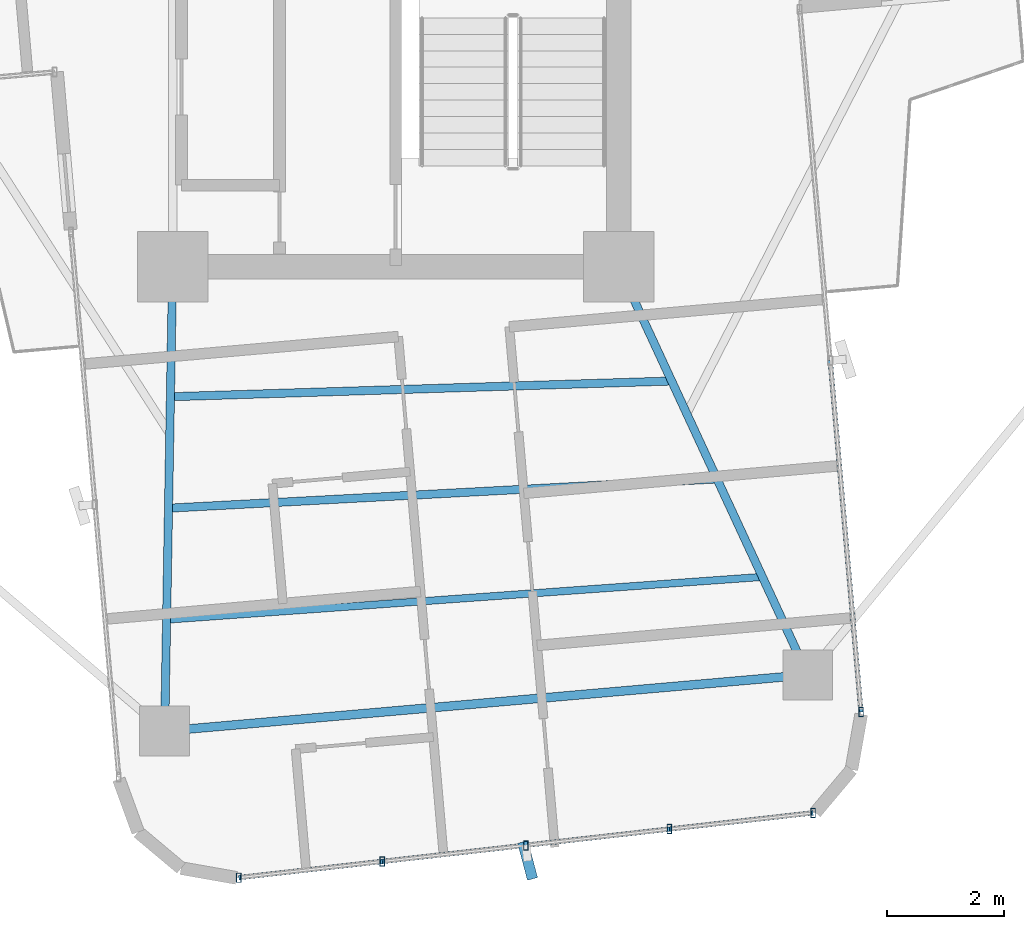
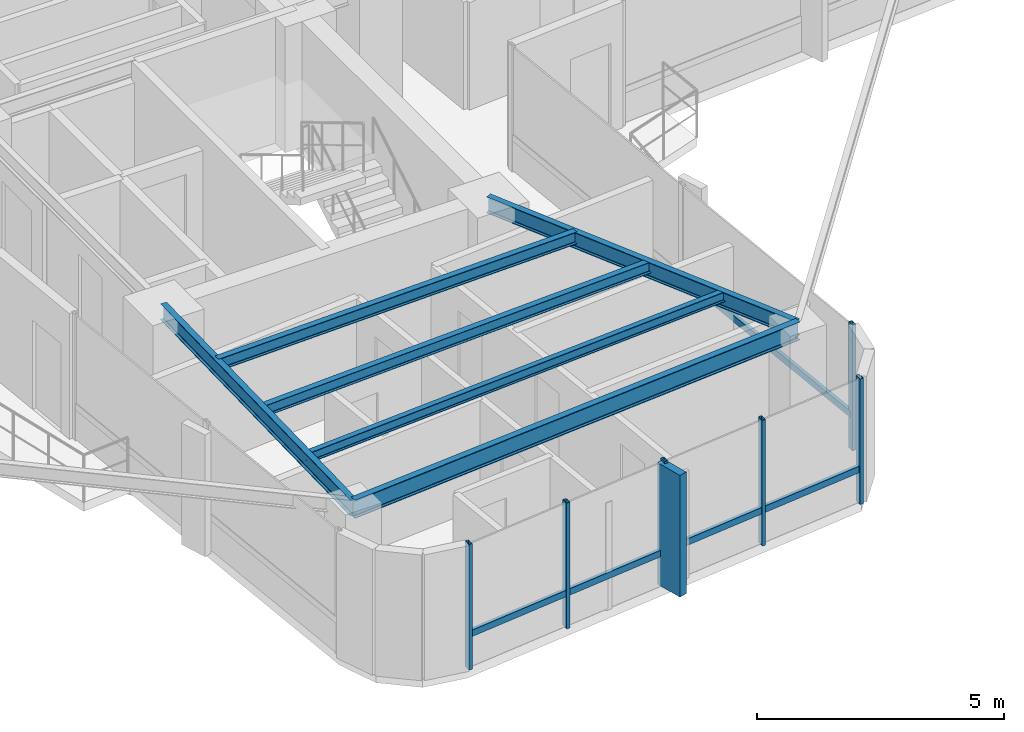
# One storey, part 6 of 24: 12 members, 6 beams, 2 elements without a shape of their own.
"""IFC4 building model written with IfcOpenShell, lengths in metres."""

from ifc_helpers import new_model, si_unit, direction, frame, origin, origin_2d, place, context, subcontext, project, spatial, rectangle, hollow_rectangle, i_section, extrude, source, transform, mapped, material, material_profile, profile_set, type_object, element, aggregate, save


model = new_model("IFC4")

# Units and contexts
model_context = context("Model", 3, precision=1e-05, world=origin(), true_north=direction((0.0, 1.0)))
body_context = subcontext(model_context, "Body", "Model", "MODEL_VIEW")
ifc_project = project(units=[si_unit("LENGTHUNIT", "METRE"), si_unit("AREAUNIT", "SQUARE_METRE"), si_unit("VOLUMEUNIT", "CUBIC_METRE"), si_unit("PLANEANGLEUNIT", "RADIAN"), si_unit("MASSUNIT", "GRAM", prefix="KILO")], contexts=[model_context])

# Site, building, storey
site_placement = place(None, origin())
site = spatial("IfcSite", under=ifc_project, at=site_placement, CompositionType="ELEMENT")
building_placement = place(site_placement, origin())
building = spatial("IfcBuilding", under=site, at=building_placement, Name="Sahyath Konkavel Grand Hotel", CompositionType="ELEMENT")
storey_placement = place(building_placement, frame((0.0, 0.0, 157.300048828125)))
storey = spatial("IfcBuildingStorey", under=building, at=storey_placement, Name="L43", CompositionType="ELEMENT", Elevation=157.300048828125)

# Beams
ifc_material_1 = material(Name="Steel E350", Category="steel")
ifc_material_profile_1 = material_profile(ifc_material_1, i_section(OverallWidth=0.139892578125, OverallDepth=0.39990234375, WebThickness=0.0087890625, FlangeThickness=0.01611328125, FilletRadius=0.013916015625, at=origin_2d()), Name="ISMB 400")
ifc_profile_set_1 = profile_set([ifc_material_profile_1], Name="Steel E350")
beam_type_1 = type_object("IfcBeamType", Name="BM-ISMB400", PredefinedType="BEAM", material=ifc_profile_set_1)
shared_shape_1 = source(origin(), body_context, "Body", "SweptSolid", [
    extrude(i_section(OverallWidth=0.139892578125, OverallDepth=0.39990234375, WebThickness=0.0087890625, FlangeThickness=0.01611328125, FilletRadius=0.013916015625, at=origin_2d()), origin(), (0.0, 0.0, 1.0), 7.913330078125),
])
beam_1_placement = place(storey_placement, frame((-3.800048828125, -10.199951171875, 2.909912109375), z_axis=(-0.017215419232, -0.999851803689, 0.0), x_axis=(0.999851803689, -0.017215419232, 0.0)))
element("IfcBeam", 1, at=beam_1_placement, inside=storey, type_object=beam_type_1, Name="L43 Cruciform Radial Girder SA", PredefinedType="BEAM", context=body_context, shape_type="MappedRepresentation", body=[
    mapped(shared_shape_1, transform((0.0, 0.0, 0.0), scale=1.0)),
])
shared_shape_2 = source(origin(), body_context, "Body", "SweptSolid", [
    extrude(i_section(OverallWidth=0.139892578125, OverallDepth=0.39990234375, WebThickness=0.0087890625, FlangeThickness=0.01611328125, FilletRadius=0.013916015625, at=origin_2d()), origin(), (0.0, 0.0, 1.0), 7.66357421875),
])
beam_2_placement = place(storey_placement, frame((3.800048828125, -10.199951171875, 2.909912109375), z_axis=(0.420395127561, -0.907341135804, 0.0), x_axis=(0.907341135804, 0.420395127561, 0.0)))
element("IfcBeam", 2, at=beam_2_placement, inside=storey, type_object=beam_type_1, Name="L43 Cruciform Radial Girder SB", PredefinedType="BEAM", context=body_context, shape_type="MappedRepresentation", body=[
    mapped(shared_shape_2, transform((0.0, 0.0, 0.0), scale=1.0)),
])
ifc_material_profile_2 = material_profile(ifc_material_1, i_section(OverallWidth=0.14990234375, OverallDepth=0.449951171875, WebThickness=0.009521484375, FlangeThickness=0.017333984375, FilletRadius=0.014892578125, at=origin_2d()), Name="ISMB 450")
ifc_profile_set_2 = profile_set([ifc_material_profile_2], Name="Steel E350")
beam_type_2 = type_object("IfcBeamType", Name="BM-ISMB450", PredefinedType="BEAM", material=ifc_profile_set_2)
shared_shape_3 = source(origin(), body_context, "Body", "SweptSolid", [
    extrude(i_section(OverallWidth=0.14990234375, OverallDepth=0.449951171875, WebThickness=0.009521484375, FlangeThickness=0.017333984375, FilletRadius=0.014892578125, at=origin_2d()), origin(), (0.0, 0.0, 1.0), 10.999755859375),
])
beam_3_placement = place(storey_placement, frame((-3.936279296875, -18.112060546875, 2.885009765625), z_axis=(0.99619439202, 0.087159241098, 0.0), x_axis=(-0.087159241098, 0.99619439202, 0.0)))
element("IfcBeam", 3, at=beam_3_placement, inside=storey, type_object=beam_type_2, Name="L43 Wing Tip Edge Beam S", PredefinedType="BEAM", context=body_context, shape_type="MappedRepresentation", body=[
    mapped(shared_shape_3, transform((0.0, 0.0, 0.0), scale=1.0)),
])
ifc_material_profile_3 = material_profile(ifc_material_1, i_section(OverallWidth=0.139892578125, OverallDepth=0.300048828125, WebThickness=0.0078125, FlangeThickness=0.01318359375, FilletRadius=0.013916015625, at=origin_2d()), Name="ISMB 300")
ifc_profile_set_3 = profile_set([ifc_material_profile_3], Name="Steel E350")
beam_type_3 = type_object("IfcBeamType", Name="BM-ISMB300", PredefinedType="BEAM", material=ifc_profile_set_3)
shared_shape_4 = source(origin(), body_context, "Body", "SweptSolid", [
    extrude(i_section(OverallWidth=0.139892578125, OverallDepth=0.300048828125, WebThickness=0.0078125, FlangeThickness=0.01318359375, FilletRadius=0.013916015625, at=origin_2d()), origin(), (0.0, 0.0, 1.0), 8.54443359375),
])
beam_4_placement = place(storey_placement, frame((-3.838134765625, -12.415283203125, 2.9599609375), z_axis=(0.999506849365, 0.031401561632, 0.0), x_axis=(-0.031401561632, 0.999506849365, 0.0)))
element("IfcBeam", 4, at=beam_4_placement, inside=storey, type_object=beam_type_3, Name="L43 Secondary Floor Beam S-1", PredefinedType="BEAM", context=body_context, shape_type="MappedRepresentation", body=[
    mapped(shared_shape_4, transform((0.0, 0.0, 0.0), scale=1.0)),
])
ifc_material_profile_4 = material_profile(ifc_material_1, i_section(OverallWidth=0.139892578125, OverallDepth=0.27490234375, WebThickness=0.00634765625, FlangeThickness=0.0087890625, FilletRadius=0.012939453125, at=origin_2d()), Name="ISLB 275")
ifc_profile_set_4 = profile_set([ifc_material_profile_4], Name="Steel E350")
beam_type_4 = type_object("IfcBeamType", Name="BM-ISLB275", PredefinedType="BEAM", material=ifc_profile_set_4)
shared_shape_5 = source(origin(), body_context, "Body", "SweptSolid", [
    extrude(i_section(OverallWidth=0.139892578125, OverallDepth=0.27490234375, WebThickness=0.00634765625, FlangeThickness=0.0087890625, FilletRadius=0.012939453125, at=origin_2d()), origin(), (0.0, 0.0, 1.0), 9.359375),
])
beam_5_placement = place(storey_placement, frame((-3.870849609375, -14.314208984375, 2.972412109375), z_axis=(0.998580397723, 0.053265272769, 0.0), x_axis=(-0.053265272769, 0.998580397723, 0.0)))
element("IfcBeam", 5, at=beam_5_placement, inside=storey, type_object=beam_type_4, Name="L43 Secondary Floor Beam S-2", PredefinedType="BEAM", context=body_context, shape_type="MappedRepresentation", body=[
    mapped(shared_shape_5, transform((0.0, 0.0, 0.0), scale=1.0)),
])
ifc_material_profile_5 = material_profile(ifc_material_1, i_section(OverallWidth=0.125, OverallDepth=0.25, WebThickness=0.0068359375, FlangeThickness=0.012451171875, FilletRadius=0.012939453125, at=origin_2d()), Name="ISMB 250")
ifc_profile_set_5 = profile_set([ifc_material_profile_5], Name="Steel E350")
beam_type_5 = type_object("IfcBeamType", Name="BM-ISMB250", PredefinedType="BEAM", material=ifc_profile_set_5)
shared_shape_6 = source(origin(), body_context, "Body", "SweptSolid", [
    extrude(i_section(OverallWidth=0.125, OverallDepth=0.25, WebThickness=0.0068359375, FlangeThickness=0.012451171875, FilletRadius=0.012939453125, at=origin_2d()), origin(), (0.0, 0.0, 1.0), 10.178466796875),
])
beam_6_placement = place(storey_placement, frame((-3.90380859375, -16.213134765625, 2.98486328125), z_axis=(0.997435268886, 0.071574327683, 0.0), x_axis=(-0.071574327683, 0.997435268886, 0.0)))
element("IfcBeam", 6, at=beam_6_placement, inside=storey, type_object=beam_type_5, Name="L43 Secondary Floor Beam S-3", PredefinedType="BEAM", context=body_context, shape_type="MappedRepresentation", body=[
    mapped(shared_shape_6, transform((0.0, 0.0, 0.0), scale=1.0)),
])

# Curtain wall, members
ifc_material_2 = material(Name="Anodised Bronze Aluminium & Low-E Glazing", Category="aluminium")
curtain_wall_type = type_object("IfcCurtainWallType", Name="CW-ZONE3", PredefinedType="NOTDEFINED", material=ifc_material_2)
curtain_wall_1_placement = place(storey_placement, origin())
curtain_wall_1 = element("IfcCurtainWall", 7, at=curtain_wall_1_placement, inside=storey, type_object=curtain_wall_type, Name="L43 Unitised Curtain Wall F28", PredefinedType="NOTDEFINED")
ifc_material_3 = material(Name="Anodised Bronze Aluminium", Category="aluminium")
ifc_material_profile_6 = material_profile(ifc_material_3, hollow_rectangle(XDim=0.080078125, YDim=0.159912109375, WallThickness=0.006103515625, at=origin_2d()), Name="RHS 160x80x6")
ifc_profile_set_6 = profile_set([ifc_material_profile_6], Name="Anodised Bronze Aluminium")
member_type_1 = type_object("IfcMemberType", Name="CW-MUL-160", PredefinedType="MULLION", material=ifc_profile_set_6)
shared_shape_7 = source(origin(), body_context, "Body", "SweptSolid", [
    extrude(hollow_rectangle(XDim=0.080078125, YDim=0.159912109375, WallThickness=0.006103515625, at=origin_2d()), origin(), (0.0, 0.0, 1.0), 3.10986328125),
])
member_1_placement = place(storey_placement, frame((-2.673828125, -20.610595703125, 0.0), z_axis=(0.0, 0.0, 1.0), x_axis=(1.0, 0.0, 0.0)))
member_1 = element("IfcMember", 8, at=member_1_placement, type_object=member_type_1, Name="L43 Curtain Wall Mullion F28-0", PredefinedType="MULLION", context=body_context, shape_type="MappedRepresentation", body=[
    mapped(shared_shape_7, transform((0.0, 0.0, 0.0), scale=1.0)),
])
member_2_placement = place(storey_placement, frame((-0.227294921875, -20.334716796875, 0.0), z_axis=(0.0, 0.0, 1.0), x_axis=(1.0, 0.0, 0.0)))
member_2 = element("IfcMember", 9, at=member_2_placement, type_object=member_type_1, Name="L43 Curtain Wall Mullion F28-1", PredefinedType="MULLION", context=body_context, shape_type="MappedRepresentation", body=[
    mapped(shared_shape_7, transform((0.0, 0.0, 0.0), scale=1.0)),
])
member_3_placement = place(storey_placement, frame((2.21923828125, -20.05908203125, 0.0), z_axis=(0.0, 0.0, 1.0), x_axis=(1.0, 0.0, 0.0)))
member_3 = element("IfcMember", 10, at=member_3_placement, type_object=member_type_1, Name="L43 Curtain Wall Mullion F28-2", PredefinedType="MULLION", context=body_context, shape_type="MappedRepresentation", body=[
    mapped(shared_shape_7, transform((0.0, 0.0, 0.0), scale=1.0)),
])
member_4_placement = place(storey_placement, frame((4.665771484375, -19.783203125, 0.0), z_axis=(0.0, 0.0, 1.0), x_axis=(1.0, 0.0, 0.0)))
member_4 = element("IfcMember", 11, at=member_4_placement, type_object=member_type_1, Name="L43 Curtain Wall Mullion F28-3", PredefinedType="MULLION", context=body_context, shape_type="MappedRepresentation", body=[
    mapped(shared_shape_7, transform((0.0, 0.0, 0.0), scale=1.0)),
])
member_5_placement = place(storey_placement, frame((7.1123046875, -19.507568359375, 0.0), z_axis=(0.0, 0.0, 1.0), x_axis=(1.0, 0.0, 0.0)))
member_5 = element("IfcMember", 12, at=member_5_placement, type_object=member_type_1, Name="L43 Curtain Wall Mullion F28-4", PredefinedType="MULLION", context=body_context, shape_type="MappedRepresentation", body=[
    mapped(shared_shape_7, transform((0.0, 0.0, 0.0), scale=1.0)),
])

# Curtain wall, member
curtain_wall_2_placement = place(storey_placement, origin())
curtain_wall_2 = element("IfcCurtainWall", 13, at=curtain_wall_2_placement, inside=storey, type_object=curtain_wall_type, Name="L43 Unitised Curtain Wall F31", PredefinedType="NOTDEFINED")
member_6_placement = place(storey_placement, frame((7.930419921875, -17.78662109375, 0.0), z_axis=(0.0, 0.0, 1.0), x_axis=(1.0, 0.0, 0.0)))
member_6 = element("IfcMember", 14, at=member_6_placement, type_object=member_type_1, Name="L43 Curtain Wall Mullion F31-0", PredefinedType="MULLION", context=body_context, shape_type="MappedRepresentation", body=[
    mapped(shared_shape_7, transform((0.0, 0.0, 0.0), scale=1.0)),
])

# Member
ifc_material_4 = material(Name="Warm Buff Sandstone Cladding on Concrete C50/60", Category="masonry")
ifc_material_profile_7 = material_profile(ifc_material_4, rectangle(XDim=0.179931640625, YDim=0.64990234375, at=origin_2d()), Name="FIN 180x650")
ifc_profile_set_7 = profile_set([ifc_material_profile_7], Name="Warm Buff Sandstone Cladding on Concrete C50/60")
member_type_2 = type_object("IfcMemberType", Name="FIN-SANDSTONE-650", PredefinedType="MULLION", material=ifc_profile_set_7)
shared_shape_8 = source(origin(), body_context, "Body", "SweptSolid", [
    extrude(rectangle(XDim=0.179931640625, YDim=0.64990234375, at=origin_2d()), origin(), (0.0, 0.0, 1.0), 3.010009765625),
])
member_7_placement = place(storey_placement, frame((2.248291015625, -20.3173828125, 0.050048828125), z_axis=(0.0, 0.0, 1.0), x_axis=(0.966420942741, 0.256964124795, 0.0)))
member_7 = element("IfcMember", 15, at=member_7_placement, type_object=member_type_2, Name="L43 Sandstone Vertical Solar Fin FIN F28-2", PredefinedType="MULLION", context=body_context, shape_type="MappedRepresentation", body=[
    mapped(shared_shape_8, transform((0.0, 0.0, 0.0), scale=1.0)),
])

ifc_material_profile_8 = material_profile(ifc_material_3, hollow_rectangle(XDim=0.080078125, YDim=0.159912109375, WallThickness=0.006103515625, at=origin_2d()), Name="RHS 160x80x6")
ifc_profile_set_8 = profile_set([ifc_material_profile_8], Name="Anodised Bronze Aluminium")
member_type_3 = type_object("IfcMemberType", Name="CW-TRN-160", PredefinedType="USERDEFINED", material=ifc_profile_set_8)
shared_shape_9 = source(origin(), body_context, "Body", "SweptSolid", [
    extrude(hollow_rectangle(XDim=0.080078125, YDim=0.159912109375, WallThickness=0.006103515625, at=origin_2d()), origin(), (0.0, 0.0, 1.0), 2.462158203125),
])
member_8_placement = place(storey_placement, frame((-2.673828125, -20.610595703125, 0.849853515625), z_axis=(0.99370222711, 0.112053040279, 0.0), x_axis=(-0.112053040279, 0.99370222711, 0.0)))
member_8 = element("IfcMember", 16, at=member_8_placement, type_object=member_type_3, Name="L43 Curtain Wall Transom F28-0-spandrel", ObjectType="TRANSOM", PredefinedType="USERDEFINED", context=body_context, shape_type="MappedRepresentation", body=[
    mapped(shared_shape_9, transform((0.0, 0.0, 0.0), scale=1.0)),
])

member_9_placement = place(storey_placement, frame((2.21923828125, -20.05908203125, 0.849853515625), z_axis=(0.99370222711, 0.112053040279, 0.0), x_axis=(-0.112053040279, 0.99370222711, 0.0)))
member_9 = element("IfcMember", 17, at=member_9_placement, type_object=member_type_3, Name="L43 Curtain Wall Transom F28-2-spandrel", ObjectType="TRANSOM", PredefinedType="USERDEFINED", context=body_context, shape_type="MappedRepresentation", body=[
    mapped(shared_shape_9, transform((0.0, 0.0, 0.0), scale=1.0)),
])

shared_shape_10 = source(origin(), body_context, "Body", "SweptSolid", [
    extrude(hollow_rectangle(XDim=0.080078125, YDim=0.159912109375, WallThickness=0.006103515625, at=origin_2d()), origin(), (0.0, 0.0, 1.0), 2.4619140625),
])
member_10_placement = place(storey_placement, frame((-0.227294921875, -20.334716796875, 0.849853515625), z_axis=(0.993713263833, 0.111955121731, 0.0), x_axis=(-0.111955121731, 0.993713263833, 0.0)))
member_10 = element("IfcMember", 18, at=member_10_placement, type_object=member_type_3, Name="L43 Curtain Wall Transom F28-1-spandrel", ObjectType="TRANSOM", PredefinedType="USERDEFINED", context=body_context, shape_type="MappedRepresentation", body=[
    mapped(shared_shape_10, transform((0.0, 0.0, 0.0), scale=1.0)),
])

member_11_placement = place(storey_placement, frame((4.665771484375, -19.783203125, 0.849853515625), z_axis=(0.993713263833, 0.111955121731, 0.0), x_axis=(-0.111955121731, 0.993713263833, 0.0)))
member_11 = element("IfcMember", 19, at=member_11_placement, type_object=member_type_3, Name="L43 Curtain Wall Transom F28-3-spandrel", ObjectType="TRANSOM", PredefinedType="USERDEFINED", context=body_context, shape_type="MappedRepresentation", body=[
    mapped(shared_shape_10, transform((0.0, 0.0, 0.0), scale=1.0)),
])

aggregate(curtain_wall_1, [member_1, member_2, member_3, member_7, member_4, member_5, member_8, member_10, member_9, member_11])

shared_shape_11 = source(origin(), body_context, "Body", "SweptSolid", [
    extrude(hollow_rectangle(XDim=0.080078125, YDim=0.159912109375, WallThickness=0.006103515625, at=origin_2d()), origin(), (0.0, 0.0, 1.0), 6.01025390625),
])
member_12_placement = place(storey_placement, frame((7.930419921875, -17.78662109375, 0.849853515625), z_axis=(-0.087172997156, 0.996193188376, 0.0), x_axis=(-0.996193188376, -0.087172997156, 0.0)))
member_12 = element("IfcMember", 20, at=member_12_placement, type_object=member_type_3, Name="L43 Curtain Wall Transom F31-0-spandrel", ObjectType="TRANSOM", PredefinedType="USERDEFINED", context=body_context, shape_type="MappedRepresentation", body=[
    mapped(shared_shape_11, transform((0.0, 0.0, 0.0), scale=1.0)),
])

aggregate(curtain_wall_2, [member_6, member_12])

save(model, "model.ifc")
